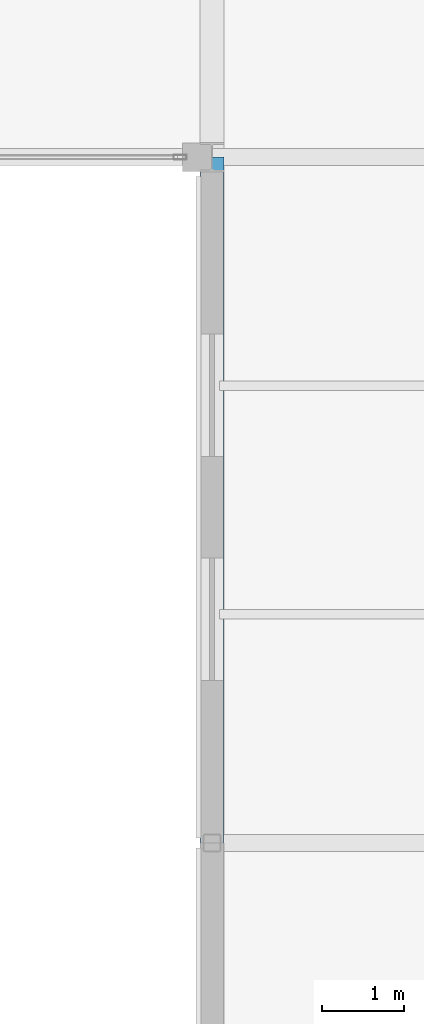
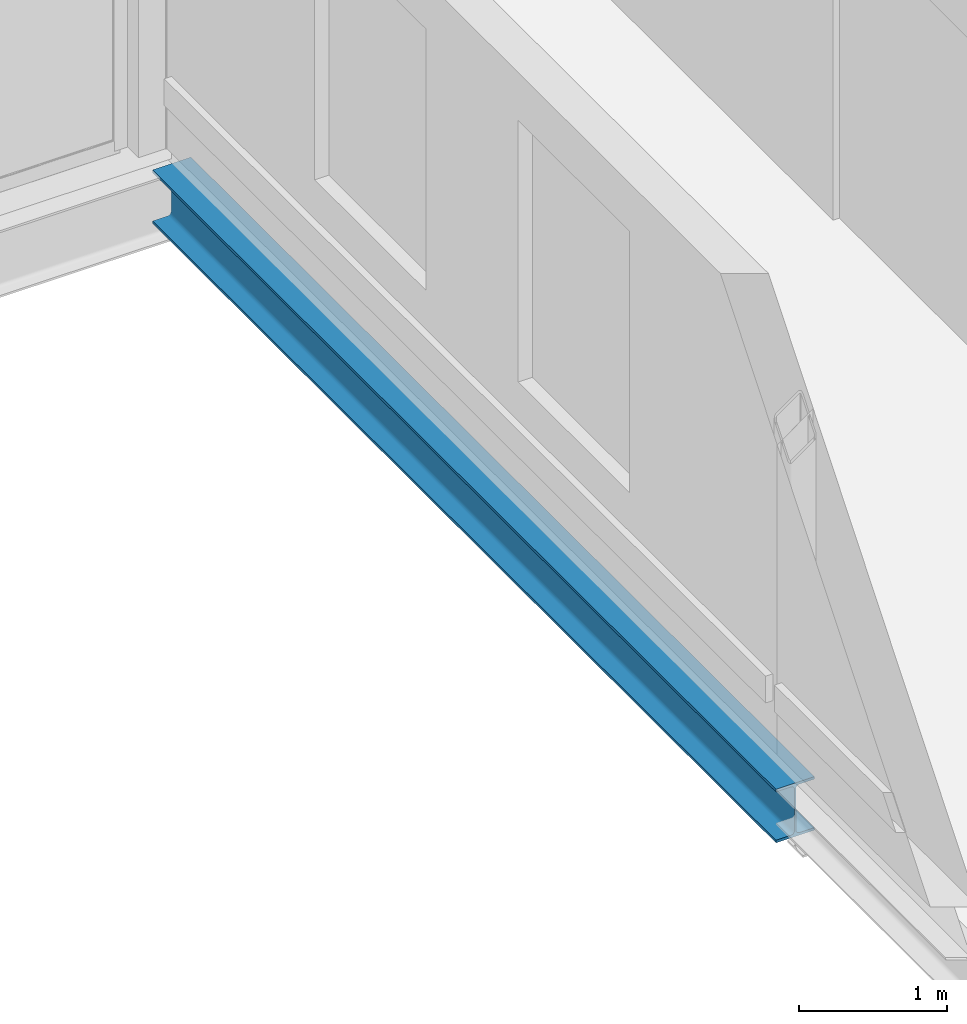
# One storey, part 54 of 101: 1 beam.
"""IFC4 building model written with IfcOpenShell, lengths in metres."""

from ifc_helpers import new_model, si_unit, direction, frame, origin, origin_2d, place, context, subcontext, project, spatial, i_section, extrude, material, material_profile, profile_set, type_object, element, save


model = new_model("IFC4")

# Units and contexts
model_context = context("Model", 3, precision=1e-05, world=origin(), true_north=direction((0.0, 1.0)))
body_context = subcontext(model_context, "Body", "Model", "MODEL_VIEW")
ifc_project = project(units=[si_unit("LENGTHUNIT", "METRE"), si_unit("AREAUNIT", "SQUARE_METRE"), si_unit("VOLUMEUNIT", "CUBIC_METRE"), si_unit("PLANEANGLEUNIT", "RADIAN"), si_unit("MASSUNIT", "GRAM", prefix="KILO")], contexts=[model_context])

# Site, building, storey
site_placement = place(None, origin())
site = spatial("IfcSite", under=ifc_project, at=site_placement, CompositionType="ELEMENT")
building_placement = place(site_placement, origin())
building = spatial("IfcBuilding", under=site, at=building_placement, Name="Vekula Escarpment Museum", CompositionType="ELEMENT")
storey_placement = place(building_placement, frame((0.0, 0.0, 18.0)))
storey = spatial("IfcBuildingStorey", under=building, at=storey_placement, Name="L04", CompositionType="ELEMENT", Elevation=18.0)

# Beam
ifc_material = material(Name="Steel S355", Category="steel")
ifc_material_profile = material_profile(ifc_material, i_section(OverallWidth=0.300048828125, OverallDepth=0.43994140625, WebThickness=0.011474609375, FlangeThickness=0.02099609375, FilletRadius=0.027099609375, at=origin_2d()), Name="HEA 450")
ifc_profile_set = profile_set([ifc_material_profile], Name="Steel S355")
beam_type = type_object("IfcBeamType", Name="BM-SPAN-HEA450", PredefinedType="SPANDREL", material=ifc_profile_set)
beam_placement = place(storey_placement, frame((167.0, 59.60009765625, -0.5), z_axis=(0.0, 1.0, 0.0), x_axis=(-1.0, 0.0, 0.0)))
element("IfcBeam", 1, at=beam_placement, inside=storey, type_object=beam_type, Name="Beam Y L04 1921", PredefinedType="SPANDREL", context=body_context, shape_type="SweptSolid", body=[
    extrude(i_section(OverallWidth=0.300048828125, OverallDepth=0.43994140625, WebThickness=0.011474609375, FlangeThickness=0.02099609375, FilletRadius=0.027099609375, at=origin_2d()), origin(), (0.0, 0.0, 1.0), 8.39990234375),
])

save(model, "model.ifc")
